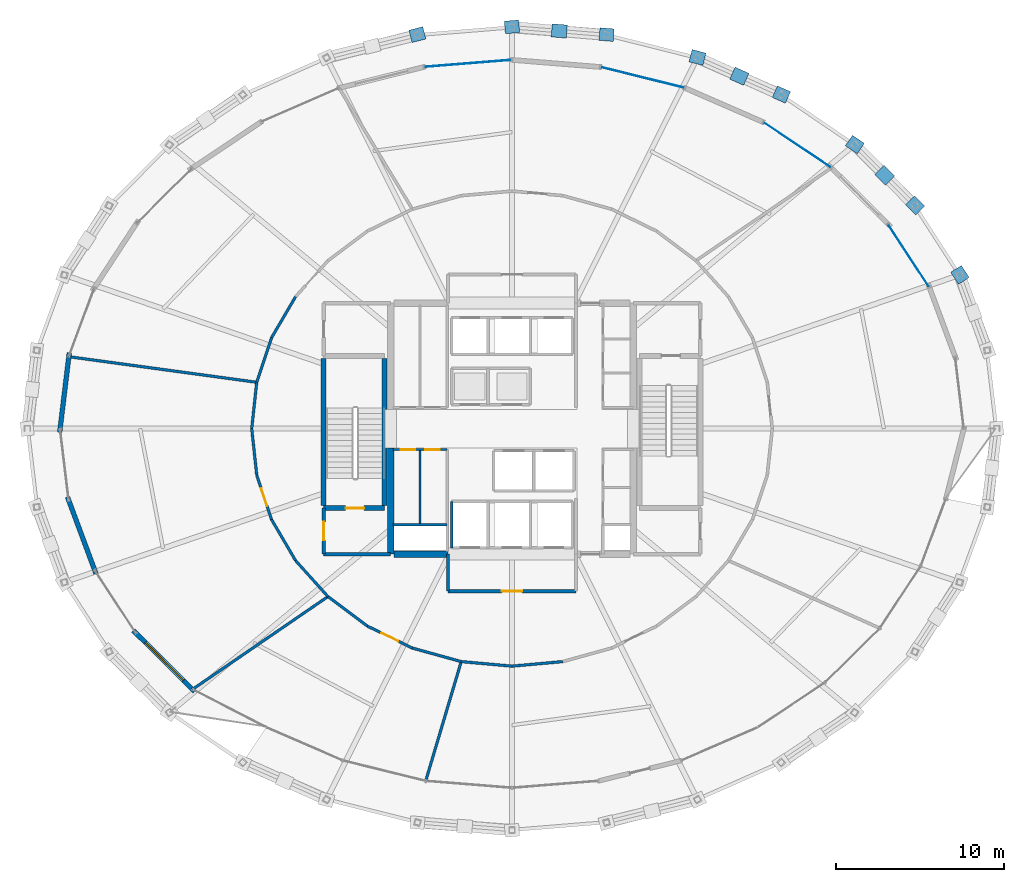
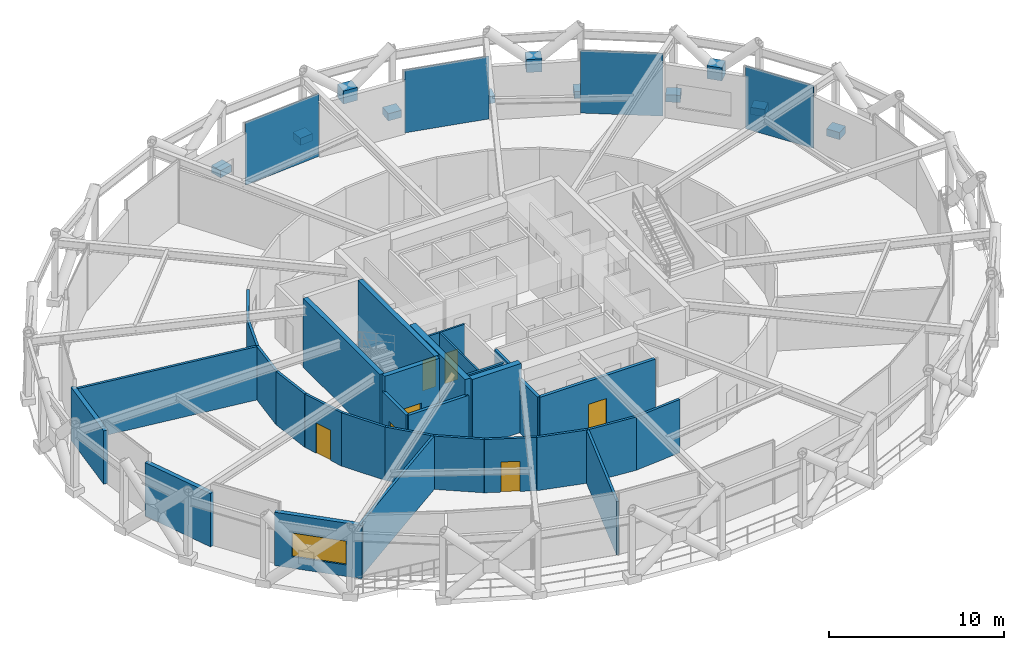
# One storey, part 32 of 39: 31 walls, 15 plates, 7 doors, 1 window, 8 openings, 4 elements without a shape of their own.
"""IFC4 building model written with IfcOpenShell, lengths in metres."""

from ifc_helpers import new_model, si_unit, direction, frame, frame_2d, origin, origin_2d, place, context, subcontext, project, spatial, rectangle, extrude, material, layer, layer_set, type_object, element, fill, aggregate, save


model = new_model("IFC4")

# Units and contexts
model_context = context("Model", 3, precision=1e-05, world=origin(), true_north=direction((0.0, 1.0)))
body_context = subcontext(model_context, "Body", "Model", "MODEL_VIEW")
ifc_project = project(units=[si_unit("LENGTHUNIT", "METRE"), si_unit("AREAUNIT", "SQUARE_METRE"), si_unit("VOLUMEUNIT", "CUBIC_METRE"), si_unit("PLANEANGLEUNIT", "RADIAN"), si_unit("MASSUNIT", "GRAM", prefix="KILO")], contexts=[model_context])

# Site, building, storey
site_placement = place(None, origin())
site = spatial("IfcSite", under=ifc_project, at=site_placement, CompositionType="ELEMENT")
building_placement = place(site_placement, origin())
building = spatial("IfcBuilding", under=site, at=building_placement, Name="Veldorina Hangang Commons", CompositionType="ELEMENT")
storey_placement = place(building_placement, frame((0.0, 0.0, 106.0)))
storey = spatial("IfcBuildingStorey", under=building, at=storey_placement, Name="L27", CompositionType="ELEMENT", Elevation=106.0)

# Curtain wall, plate
ifc_material_1 = material(Name="Glass Acoustic Laminated", Category="glass")
ifc_layer_1 = layer(ifc_material_1, 0.179931640625)
ifc_layer_set_1 = layer_set([ifc_layer_1], Name="Glass Acoustic Laminated")
curtain_wall_type = type_object("IfcCurtainWallType", Name="CW-SYS-SKY", PredefinedType="NOTDEFINED", material=ifc_layer_set_1)
curtain_wall_1_placement = place(storey_placement, origin())
curtain_wall_1 = element("IfcCurtainWall", 1, at=curtain_wall_1_placement, inside=storey, type_object=curtain_wall_type, Name="L27 unitised curtain wall CW-L27-R2", PredefinedType="NOTDEFINED")
ifc_material_2 = material(Name="Glass Low-E Triple IGU", Category="glass")
ifc_layer_2 = layer(ifc_material_2, 0.0400390625)
ifc_layer_set_2 = layer_set([ifc_layer_2], Name="Glass Low-E Triple IGU")
plate_type_1 = type_object("IfcPlateType", Name="CW-PNL-VIS", PredefinedType="CURTAIN_PANEL", material=ifc_layer_set_2)
plate_1_placement = place(storey_placement, frame((55.541748046875, 34.268310546875, 0.014892578125), z_axis=(0.0, 0.0, 1.0), x_axis=(-0.547928278665, 0.836525314285, 0.0)))
plate_1 = element("IfcPlate", 2, at=plate_1_placement, type_object=plate_type_1, Name="CW-L27-R2 facet 1 glazed vision panel", PredefinedType="CURTAIN_PANEL", context=body_context, shape_type="SweptSolid", body=[
    extrude(rectangle(XDim=4.34375, YDim=0.0400390625, at=origin_2d()), origin(), (0.0, 0.0, 1.0), 4.3701171875),
])
aggregate(curtain_wall_1, [plate_1])

curtain_wall_2_placement = place(storey_placement, origin())
curtain_wall_2 = element("IfcCurtainWall", 3, at=curtain_wall_2_placement, inside=storey, type_object=curtain_wall_type, Name="L27 unitised curtain wall CW-L27-R3", PredefinedType="NOTDEFINED")
plate_2_placement = place(storey_placement, frame((48.934326171875, 40.83837890625, 0.014892578125), z_axis=(0.0, 0.0, 1.0), x_axis=(-0.830887364717, 0.556440641177, 0.0)))
plate_2 = element("IfcPlate", 4, at=plate_2_placement, type_object=plate_type_1, Name="CW-L27-R3 facet 1 glazed vision panel", PredefinedType="CURTAIN_PANEL", context=body_context, shape_type="SweptSolid", body=[
    extrude(rectangle(XDim=4.7119140625, YDim=0.0400390625, at=origin_2d()), origin(), (0.0, 0.0, 1.0), 4.3701171875),
])
aggregate(curtain_wall_2, [plate_2])

curtain_wall_3_placement = place(storey_placement, origin())
curtain_wall_3 = element("IfcCurtainWall", 5, at=curtain_wall_3_placement, inside=storey, type_object=curtain_wall_type, Name="L27 unitised curtain wall CW-L27-R4", PredefinedType="NOTDEFINED")
plate_3_placement = place(storey_placement, frame((39.748779296875, 44.8447265625, 0.014892578125), z_axis=(0.0, 0.0, 1.0), x_axis=(-0.970703901937, 0.240278868744, 0.0)))
plate_3 = element("IfcPlate", 6, at=plate_3_placement, type_object=plate_type_1, Name="CW-L27-R4 facet 1 glazed vision panel", PredefinedType="CURTAIN_PANEL", context=body_context, shape_type="SweptSolid", body=[
    extrude(rectangle(XDim=5.003662109375, YDim=0.0400390625, at=origin_2d()), origin(), (0.0, 0.0, 1.0), 4.3701171875),
])
aggregate(curtain_wall_3, [plate_3])

curtain_wall_4_placement = place(storey_placement, origin())
curtain_wall_4 = element("IfcCurtainWall", 7, at=curtain_wall_4_placement, inside=storey, type_object=curtain_wall_type, Name="L27 unitised curtain wall CW-L27-R5", PredefinedType="NOTDEFINED")
plate_4_placement = place(storey_placement, frame((29.383544921875, 45.677734375, 0.014892578125), z_axis=(0.0, 0.0, 1.0), x_axis=(-0.996785873337, -0.080111938657, 0.0)))
plate_4 = element("IfcPlate", 8, at=plate_4_placement, type_object=plate_type_1, Name="CW-L27-R5 facet 1 glazed vision panel", PredefinedType="CURTAIN_PANEL", context=body_context, shape_type="SweptSolid", body=[
    extrude(rectangle(XDim=5.06982421875, YDim=0.0400390625, at=origin_2d()), origin(), (0.0, 0.0, 1.0), 4.3701171875),
])
aggregate(curtain_wall_4, [plate_4])

# Plates
ifc_material_3 = material(Name="Steel SM460-TMC", Category="steel")
ifc_layer_3 = layer(ifc_material_3, 0.035888671875)
ifc_layer_set_3 = layer_set([ifc_layer_3], Name="Steel SM460-TMC")
plate_type_2 = type_object("IfcPlateType", Name="PL-STAR-36", PredefinedType="USERDEFINED", material=ifc_layer_set_3)
for number, where, z_axis, x_axis, name in (
    (9, (58.591796875, 33.126220703125, -0.090087890625), (0.0, 0.0, 1.0), (-0.542104257801, 0.840311236194, 0.0), "L27 diagrid star-node gusset plate 02"),
    (10, (55.93212890625, 37.249267578125, -0.090087890625), (0.0, 0.0, 1.0), (-0.703717180947, 0.710480210308, 0.0), "L27 diagrid star-node gusset plate 03"),
):
    element("IfcPlate", number, at=place(storey_placement, frame(where, z_axis=z_axis, x_axis=x_axis)), inside=storey, type_object=plate_type_2, Name=name, ObjectType="GUSSET PLATE", PredefinedType="USERDEFINED", context=body_context, shape_type="SweptSolid", body=[
        extrude(rectangle(XDim=0.85009765625, YDim=0.75, at=origin_2d()), origin(), (0.0, 0.0, 1.0), 0.5),
    ])
plate_5_placement = place(storey_placement, frame((54.1279296875, 39.0478515625, 1.95166015625), z_axis=(0.0, 0.0, 1.0), x_axis=(-0.703717180947, 0.710480210308, 0.0)))
element("IfcPlate", 11, at=plate_5_placement, inside=storey, type_object=plate_type_2, Name="L27 diagrid X-crossing star-node gusset plate 03", ObjectType="GUSSET PLATE", PredefinedType="USERDEFINED", context=body_context, shape_type="SweptSolid", body=[
    extrude(rectangle(XDim=0.89990234375, YDim=0.780029296875, at=origin_2d()), origin(), (0.0, 0.0, 1.0), 0.89990234375),
])
for number, where, z_axis, x_axis, name in (
    (12, (52.3525390625, 40.86328125, -0.090087890625), (0.0, 0.0, 1.0), (-0.826943206707, 0.562285454979, 0.0), "L27 diagrid star-node gusset plate 04"),
    (13, (47.990966796875, 43.8291015625, -0.090087890625), (0.0, 0.0, 1.0), (-0.914345855411, 0.404934138711, 0.0), "L27 diagrid star-node gusset plate 05"),
):
    element("IfcPlate", number, at=place(storey_placement, frame(where, z_axis=z_axis, x_axis=x_axis)), inside=storey, type_object=plate_type_2, Name=name, ObjectType="GUSSET PLATE", PredefinedType="USERDEFINED", context=body_context, shape_type="SweptSolid", body=[
        extrude(rectangle(XDim=0.85009765625, YDim=0.75, at=origin_2d()), origin(), (0.0, 0.0, 1.0), 0.5),
    ])
plate_6_placement = place(storey_placement, frame((45.493896484375, 44.919189453125, 1.95166015625), z_axis=(0.0, 0.0, 1.0), x_axis=(-0.914345855411, 0.404934138711, 0.0)))
element("IfcPlate", 14, at=plate_6_placement, inside=storey, type_object=plate_type_2, Name="L27 diagrid X-crossing star-node gusset plate 05", ObjectType="GUSSET PLATE", PredefinedType="USERDEFINED", context=body_context, shape_type="SweptSolid", body=[
    extrude(rectangle(XDim=0.89990234375, YDim=0.780029296875, at=origin_2d()), origin(), (0.0, 0.0, 1.0), 0.89990234375),
])
for number, where, z_axis, x_axis, name in (
    (15, (43.0146484375, 46.03271484375, -0.090087890625), (0.0, 0.0, 1.0), (-0.969833736363, 0.24376735592, 0.0), "L27 diagrid star-node gusset plate 06"),
    (16, (37.615234375, 47.389892578125, -0.090087890625), (0.0, 0.0, 1.0), (-0.996687254251, 0.081329682245, 0.0), "L27 diagrid star-node gusset plate 07"),
):
    element("IfcPlate", number, at=place(storey_placement, frame(where, z_axis=z_axis, x_axis=x_axis)), inside=storey, type_object=plate_type_2, Name=name, ObjectType="GUSSET PLATE", PredefinedType="USERDEFINED", context=body_context, shape_type="SweptSolid", body=[
        extrude(rectangle(XDim=0.85009765625, YDim=0.75, at=origin_2d()), origin(), (0.0, 0.0, 1.0), 0.5),
    ])
plate_7_placement = place(storey_placement, frame((34.805908203125, 47.60595703125, 1.95166015625), z_axis=(0.0, 0.0, 1.0), x_axis=(-0.996687254251, 0.081329682245, 0.0)))
element("IfcPlate", 17, at=plate_7_placement, inside=storey, type_object=plate_type_2, Name="L27 diagrid X-crossing star-node gusset plate 07", ObjectType="GUSSET PLATE", PredefinedType="USERDEFINED", context=body_context, shape_type="SweptSolid", body=[
    extrude(rectangle(XDim=0.89990234375, YDim=0.780029296875, at=origin_2d()), origin(), (0.0, 0.0, 1.0), 0.89990234375),
])
for number, where, z_axis, x_axis, name in (
    (18, (32.0, 47.84814453125, -0.090087890625), (0.0, 0.0, 1.0), (-0.996687254251, -0.081329682245, 0.0), "L27 diagrid star-node gusset plate 08"),
    (19, (26.384765625, 47.389892578125, -0.090087890625), (0.0, 0.0, 1.0), (-0.969833736363, -0.24376735592, 0.0), "L27 diagrid star-node gusset plate 09"),
):
    element("IfcPlate", number, at=place(storey_placement, frame(where, z_axis=z_axis, x_axis=x_axis)), inside=storey, type_object=plate_type_2, Name=name, ObjectType="GUSSET PLATE", PredefinedType="USERDEFINED", context=body_context, shape_type="SweptSolid", body=[
        extrude(rectangle(XDim=0.85009765625, YDim=0.75, at=origin_2d()), origin(), (0.0, 0.0, 1.0), 0.5),
    ])

# Walls
ifc_material_4 = material(Name="Concrete C70/85", Category="concrete")
ifc_layer_4 = layer(ifc_material_4, 0.3798828125)
ifc_layer_set_4 = layer_set([ifc_layer_4], Name="Concrete C70/85")
wall_type_1 = type_object("IfcWallType", Name="CW-RC380-C70", PredefinedType="SHEAR", material=ifc_layer_set_4)
wall_1_placement = place(storey_placement, frame((24.800048828125, 16.550048828125, 0.0), z_axis=(0.0, 0.0, 1.0), x_axis=(0.0, 1.0, 0.0)))
element("IfcWall", 20, at=wall_1_placement, inside=storey, type_object=wall_type_1, Name="L27 W south core shear wall", PredefinedType="SHEAR", context=body_context, shape_type="SweptSolid", body=[
    extrude(rectangle(XDim=6.300048828125, YDim=0.3798828125, at=frame_2d((3.14990234375, 0.0))), origin(), (0.0, 0.0, 1.0), 4.800048828125),
])
wall_2_placement = place(storey_placement, frame((24.989990234375, 16.550048828125, 0.0), z_axis=(0.0, 0.0, 1.0), x_axis=(1.0, 0.0, 0.0)))
element("IfcWall", 21, at=wall_2_placement, inside=storey, type_object=wall_type_1, Name="L27 south-west core shear wall", PredefinedType="SHEAR", context=body_context, shape_type="SweptSolid", body=[
    extrude(rectangle(XDim=3.2099609375, YDim=0.3798828125, at=frame_2d((1.60498046875, 0.0))), origin(), (0.0, 0.0, 1.0), 4.800048828125),
])
ifc_material_5 = material(Name="Stone Roman Travertine", Category="masonry")
ifc_layer_5 = layer(ifc_material_5, 0.280029296875)
ifc_layer_set_5 = layer_set([ifc_layer_5], Name="Stone Roman Travertine")
wall_type_2 = type_object("IfcWallType", Name="EW-TRAV-280", PredefinedType="STANDARD", material=ifc_layer_set_5)
wall_3_placement = place(storey_placement, frame((5.719970703125, 28.498291015625, 0.0), z_axis=(0.0, 0.0, 1.0), x_axis=(-0.119800970217, -0.992797928853, 0.0)))
element("IfcWall", 22, at=wall_3_placement, inside=storey, type_object=wall_type_2, Name="L27 travertine facade wall 15", PredefinedType="STANDARD", context=body_context, shape_type="SweptSolid", body=[
    extrude(rectangle(XDim=4.75634765625, YDim=0.280029296875, at=frame_2d((2.378173828125, 0.0))), origin(), (0.0, 0.0, 1.0), 3.7099609375),
])
wall_4_placement = place(storey_placement, frame((5.612548828125, 19.945068359375, 0.0), z_axis=(0.0, 0.0, 1.0), x_axis=(0.348436652238, -0.937332331341, 0.0)))
element("IfcWall", 23, at=wall_4_placement, inside=storey, type_object=wall_type_2, Name="L27 travertine facade wall 17", PredefinedType="STANDARD", context=body_context, shape_type="SweptSolid", body=[
    extrude(rectangle(XDim=4.85205078125, YDim=0.280029296875, at=frame_2d((2.426025390625, 0.0))), origin(), (0.0, 0.0, 1.0), 3.7099609375),
])

# Wall, opening, window
wall_5_placement = place(storey_placement, frame((9.5126953125, 12.0234375, 0.0), z_axis=(0.0, 0.0, 1.0), x_axis=(0.709098752991, -0.705109181976, 0.0)))
wall_5 = element("IfcWall", 24, at=wall_5_placement, inside=storey, type_object=wall_type_2, Name="L27 travertine facade wall 19", PredefinedType="STANDARD", context=body_context, shape_type="SweptSolid", body=[
    extrude(rectangle(XDim=5.140380859375, YDim=0.280029296875, at=frame_2d((2.5703125, 0.0))), origin(), (0.0, 0.0, 1.0), 3.7099609375),
])
opening_1_placement = place(wall_5_placement, frame((1.0126953125, 0.0, 0.800048828125)))
opening_1 = element("IfcOpeningElement", 25, at=opening_1_placement, cuts=wall_5, Name="Opening W-01", PredefinedType="OPENING", context=body_context, shape_type="SweptSolid", body=[
    extrude(rectangle(XDim=3.199951171875, YDim=1.64990234375, at=frame_2d((1.60009765625, 0.824951171875))), frame((0.0, 0.14990234375, 0.0), z_axis=(0.0, -1.0, 0.0), x_axis=(1.0, 0.0, 0.0)), (0.0, 0.0, 1.0), 0.300048828125),
])
window_type = type_object("IfcWindowType", Name="WIN-TWR-3200", PartitioningType="SINGLE_PANEL", PredefinedType="WINDOW", material=ifc_material_2)
window_placement = place(opening_1_placement, origin())
window = element("IfcWindow", 26, at=window_placement, inside=storey, type_object=window_type, Name="L27 facade window 19", OverallHeight=1.64990234375, OverallWidth=3.199951171875, PartitioningType="SINGLE_PANEL", PredefinedType="WINDOW", context=body_context, shape_type="SweptSolid", body=[
    extrude(rectangle(XDim=3.199951171875, YDim=1.64990234375, at=frame_2d((1.60009765625, 0.824951171875))), frame((0.0, 0.030029296875, 0.0), z_axis=(0.0, -1.0, 0.0), x_axis=(1.0, 0.0, 0.0)), (0.0, 0.0, 1.0), 0.06005859375),
])
fill(opening_1, window)

# Walls
ifc_material_6 = material(Name="Concrete C50/60", Category="concrete")
ifc_layer_6 = layer(ifc_material_6, 0.300048828125)
ifc_layer_set_6 = layer_set([ifc_layer_6], Name="Concrete C50/60")
wall_type_3 = type_object("IfcWallType", Name="SW-STAIR-300", PredefinedType="SHEAR", material=ifc_layer_set_6)
for number, where, z_axis, x_axis, name in (
    (27, (20.820068359375, 19.429931640625, 0.0), (0.0, 0.0, 1.0), (0.0, 1.0, 0.0), "L27 ST1 outer stair shear wall"),
    (28, (24.419921875, 19.429931640625, 0.0), (0.0, 0.0, 1.0), (0.0, 1.0, 0.0), "L27 ST1 inner stair shear wall"),
):
    element("IfcWall", number, at=place(storey_placement, frame(where, z_axis=z_axis, x_axis=x_axis)), inside=storey, type_object=wall_type_3, Name=name, PredefinedType="SHEAR", context=body_context, shape_type="SweptSolid", body=[
        extrude(rectangle(XDim=8.739990234375, YDim=0.300048828125, at=frame_2d((4.3701171875, 0.0))), origin(), (0.0, 0.0, 1.0), 4.800048828125),
    ])

# Wall, opening, door
wall_6_placement = place(storey_placement, frame((20.820068359375, 19.280029296875, 0.0), z_axis=(0.0, 0.0, 1.0), x_axis=(1.0, 0.0, 0.0)))
wall_6 = element("IfcWall", 29, at=wall_6_placement, inside=storey, type_object=wall_type_3, Name="L27 ST1 south stair shear wall", PredefinedType="SHEAR", context=body_context, shape_type="SweptSolid", body=[
    extrude(rectangle(XDim=3.599853515625, YDim=0.300048828125, at=frame_2d((1.7998046875, 0.0))), origin(), (0.0, 0.0, 1.0), 4.800048828125),
])
opening_2_placement = place(wall_6_placement, frame((1.300048828125, 0.0, 0.0)))
opening_2 = element("IfcOpeningElement", 30, at=opening_2_placement, cuts=wall_6, Name="Opening D-08", PredefinedType="OPENING", context=body_context, shape_type="SweptSolid", body=[
    extrude(rectangle(XDim=1.10009765625, YDim=2.10009765625, at=frame_2d((0.550048828125, 1.050048828125))), frame((0.0, 0.16015625, 0.0), z_axis=(0.0, -1.0, 0.0), x_axis=(1.0, 0.0, 0.0)), (0.0, 0.0, 1.0), 0.320068359375),
])
ifc_material_7 = material(Name="Steel Fire-Rated Smoke Seal", Category="steel")
door_type_1 = type_object("IfcDoorType", Name="DR-FIRE-1100", OperationType="SINGLE_SWING_RIGHT", PredefinedType="DOOR", material=ifc_material_7)
door_1_placement = place(opening_2_placement, origin())
door_1 = element("IfcDoor", 31, at=door_1_placement, inside=storey, type_object=door_type_1, Name="L27 Special Escape Stair ST-1 door", OperationType="SINGLE_SWING_LEFT", OverallHeight=2.10009765625, OverallWidth=1.10009765625, PredefinedType="DOOR", context=body_context, shape_type="SweptSolid", body=[
    extrude(rectangle(XDim=1.10009765625, YDim=2.10009765625, at=frame_2d((0.550048828125, 1.050048828125))), frame((0.0, 0.02490234375, 0.0), z_axis=(0.0, -1.0, 0.0), x_axis=(1.0, 0.0, 0.0)), (0.0, 0.0, 1.0), 0.050048828125),
])
fill(opening_2, door_1)

# Walls
ifc_material_8 = material(Name="Gypsum Fire-Rated Twin Stud Wall", Category="gypsum")
ifc_layer_7 = layer(ifc_material_8, 0.159912109375)
ifc_layer_set_7 = layer_set([ifc_layer_7], Name="Gypsum Fire-Rated Twin Stud Wall")
wall_type_4 = type_object("IfcWallType", Name="WL-FIRE-160", PredefinedType="SOLIDWALL", material=ifc_layer_set_7)
wall_7_placement = place(storey_placement, frame((28.419921875, 16.919921875, 0.0), z_axis=(0.0, 0.0, 1.0), x_axis=(0.0, 1.0, 0.0)))
element("IfcWall", 32, at=wall_7_placement, inside=storey, type_object=wall_type_4, Name="L27 FFL-1 west shaft wall 033", PredefinedType="SOLIDWALL", context=body_context, shape_type="SweptSolid", body=[
    extrude(rectangle(XDim=2.760009765625, YDim=0.159912109375, at=frame_2d((1.3798828125, 0.0))), origin(), (0.0, 0.0, 1.0), 3.7099609375),
])
wall_8_placement = place(storey_placement, frame((24.949951171875, 18.300048828125, 0.0), z_axis=(0.0, 0.0, 1.0), x_axis=(1.0, 0.0, 0.0)))
element("IfcWall", 33, at=wall_8_placement, inside=storey, type_object=wall_type_4, Name="L27 Electrical riser wall 040", PredefinedType="SOLIDWALL", context=body_context, shape_type="SweptSolid", body=[
    extrude(rectangle(XDim=3.199951171875, YDim=0.159912109375, at=frame_2d((1.60009765625, 0.0))), origin(), (0.0, 0.0, 1.0), 3.7099609375),
])
wall_9_placement = place(storey_placement, frame((19.15380859375, 31.83349609375, 0.0), z_axis=(0.0, 0.0, 1.0), x_axis=(-0.505380130961, -0.862896820732, 0.0)))
element("IfcWall", 34, at=wall_9_placement, inside=storey, type_object=wall_type_4, Name="L27 Sky gallery wall 13 068", PredefinedType="SOLIDWALL", context=body_context, shape_type="SweptSolid", body=[
    extrude(rectangle(XDim=2.824951171875, YDim=0.159912109375, at=frame_2d((1.41259765625, 0.0))), origin(), (0.0, 0.0, 1.0), 3.7099609375),
])
wall_10_placement = place(storey_placement, frame((17.72607421875, 29.395751953125, 0.0), z_axis=(0.0, 0.0, 1.0), x_axis=(-0.315413058649, -0.948954478589, 0.0)))
element("IfcWall", 35, at=wall_10_placement, inside=storey, type_object=wall_type_4, Name="L27 Sky gallery wall 14 069", PredefinedType="SOLIDWALL", context=body_context, shape_type="SweptSolid", body=[
    extrude(rectangle(XDim=2.787353515625, YDim=0.159912109375, at=frame_2d((1.3935546875, 0.0))), origin(), (0.0, 0.0, 1.0), 3.7099609375),
])
for number, where, z_axis, x_axis, name in (
    (36, (16.846923828125, 26.750732421875, 0.0), (0.0, 0.0, 1.0), (-0.107302680622, -0.994226400138, 0.0), "L27 Sky gallery wall 15 070"),
    (37, (16.550048828125, 24.0, 0.0), (0.0, 0.0, 1.0), (0.107302680622, -0.994226400138, 0.0), "L27 Sky gallery wall 16 071"),
):
    element("IfcWall", number, at=place(storey_placement, frame(where, z_axis=z_axis, x_axis=x_axis)), inside=storey, type_object=wall_type_4, Name=name, PredefinedType="SOLIDWALL", context=body_context, shape_type="SweptSolid", body=[
        extrude(rectangle(XDim=2.7666015625, YDim=0.159912109375, at=frame_2d((1.38330078125, 0.0))), origin(), (0.0, 0.0, 1.0), 3.7099609375),
    ])

# Wall, opening, door
wall_11_placement = place(storey_placement, frame((16.846923828125, 21.249267578125, 0.0), z_axis=(0.0, 0.0, 1.0), x_axis=(0.315413058649, -0.948954478589, 0.0)))
wall_11 = element("IfcWall", 38, at=wall_11_placement, inside=storey, type_object=wall_type_4, Name="L27 Sky gallery wall 17 072", PredefinedType="SOLIDWALL", context=body_context, shape_type="SweptSolid", body=[
    extrude(rectangle(XDim=2.787353515625, YDim=0.159912109375, at=frame_2d((1.3935546875, 0.0))), origin(), (0.0, 0.0, 1.0), 3.7099609375),
])
opening_3_placement = place(wall_11_placement, frame((0.84375, 0.0, 0.0)))
opening_3 = element("IfcOpeningElement", 39, at=opening_3_placement, cuts=wall_11, Name="Opening D-08", PredefinedType="OPENING", context=body_context, shape_type="SweptSolid", body=[
    extrude(rectangle(XDim=1.10009765625, YDim=2.10009765625, at=frame_2d((0.550048828125, 1.050048828125))), frame((0.0, 0.08984375, 0.0), z_axis=(0.0, -1.0, 0.0), x_axis=(1.0, 0.0, 0.0)), (0.0, 0.0, 1.0), 0.179931640625),
])
door_2_placement = place(opening_3_placement, origin())
door_2 = element("IfcDoor", 40, at=door_2_placement, inside=storey, type_object=door_type_1, Name="L27 Resident Wellness Fitness Studio entrance door 030", OperationType="SINGLE_SWING_RIGHT", OverallHeight=2.10009765625, OverallWidth=1.10009765625, PredefinedType="DOOR", context=body_context, shape_type="SweptSolid", body=[
    extrude(rectangle(XDim=1.10009765625, YDim=2.10009765625, at=frame_2d((0.550048828125, 1.050048828125))), frame((0.0, 0.02490234375, 0.0), z_axis=(0.0, -1.0, 0.0), x_axis=(1.0, 0.0, 0.0)), (0.0, 0.0, 1.0), 0.050048828125),
])
fill(opening_3, door_2)

# Walls
wall_12_placement = place(storey_placement, frame((17.72607421875, 18.604248046875, 0.0), z_axis=(0.0, 0.0, 1.0), x_axis=(0.505380130961, -0.862896820732, 0.0)))
element("IfcWall", 41, at=wall_12_placement, inside=storey, type_object=wall_type_4, Name="L27 Sky gallery wall 18 073", PredefinedType="SOLIDWALL", context=body_context, shape_type="SweptSolid", body=[
    extrude(rectangle(XDim=2.824951171875, YDim=0.159912109375, at=frame_2d((1.41259765625, 0.0))), origin(), (0.0, 0.0, 1.0), 3.7099609375),
])
wall_13_placement = place(storey_placement, frame((19.15380859375, 16.16650390625, 0.0), z_axis=(0.0, 0.0, 1.0), x_axis=(0.668645478294, -0.743581350194, 0.0)))
element("IfcWall", 42, at=wall_13_placement, inside=storey, type_object=wall_type_4, Name="L27 Sky gallery wall 19 074", PredefinedType="SOLIDWALL", context=body_context, shape_type="SweptSolid", body=[
    extrude(rectangle(XDim=2.87353515625, YDim=0.159912109375, at=frame_2d((1.436767578125, 0.0))), origin(), (0.0, 0.0, 1.0), 3.7099609375),
])
wall_14_placement = place(storey_placement, frame((21.0751953125, 14.02978515625, 0.0), z_axis=(0.0, 0.0, 1.0), x_axis=(0.800420462314, -0.599438973966, 0.0)))
element("IfcWall", 43, at=wall_14_placement, inside=storey, type_object=wall_type_4, Name="L27 Sky gallery wall 20 075", PredefinedType="SOLIDWALL", context=body_context, shape_type="SweptSolid", body=[
    extrude(rectangle(XDim=2.925048828125, YDim=0.159912109375, at=frame_2d((1.46240234375, 0.0))), origin(), (0.0, 0.0, 1.0), 3.7099609375),
])

# Wall, opening, door
wall_15_placement = place(storey_placement, frame((23.41650390625, 12.2763671875, 0.0), z_axis=(0.0, 0.0, 1.0), x_axis=(0.898755022802, -0.438451147778, 0.0)))
wall_15 = element("IfcWall", 44, at=wall_15_placement, inside=storey, type_object=wall_type_4, Name="L27 Sky gallery wall 21 076", PredefinedType="SOLIDWALL", context=body_context, shape_type="SweptSolid", body=[
    extrude(rectangle(XDim=2.9716796875, YDim=0.159912109375, at=frame_2d((1.48583984375, 0.0))), origin(), (0.0, 0.0, 1.0), 3.7099609375),
])
opening_4_placement = place(wall_15_placement, frame((0.93603515625, 0.0, 0.0)))
opening_4 = element("IfcOpeningElement", 45, at=opening_4_placement, cuts=wall_15, Name="Opening D-08", PredefinedType="OPENING", context=body_context, shape_type="SweptSolid", body=[
    extrude(rectangle(XDim=1.10009765625, YDim=2.10009765625, at=frame_2d((0.550048828125, 1.050048828125))), frame((0.0, 0.08984375, 0.0), z_axis=(0.0, -1.0, 0.0), x_axis=(1.0, 0.0, 0.0)), (0.0, 0.0, 1.0), 0.179931640625),
])
door_3_placement = place(opening_4_placement, origin())
door_3 = element("IfcDoor", 46, at=door_3_placement, inside=storey, type_object=door_type_1, Name="L27 Sky Catering Pantry entrance door 031", OperationType="SINGLE_SWING_LEFT", OverallHeight=2.10009765625, OverallWidth=1.10009765625, PredefinedType="DOOR", context=body_context, shape_type="SweptSolid", body=[
    extrude(rectangle(XDim=1.10009765625, YDim=2.10009765625, at=frame_2d((0.550048828125, 1.050048828125))), frame((0.0, 0.02490234375, 0.0), z_axis=(0.0, -1.0, 0.0), x_axis=(1.0, 0.0, 0.0)), (0.0, 0.0, 1.0), 0.050048828125),
])
fill(opening_4, door_3)

# Walls
wall_16_placement = place(storey_placement, frame((26.08740234375, 10.973388671875, 0.0), z_axis=(0.0, 0.0, 1.0), x_axis=(0.963743190464, -0.26683152519, 0.0)))
element("IfcWall", 47, at=wall_16_placement, inside=storey, type_object=wall_type_4, Name="L27 Sky gallery wall 22 077", PredefinedType="SOLIDWALL", context=body_context, shape_type="SweptSolid", body=[
    extrude(rectangle(XDim=3.007568359375, YDim=0.159912109375, at=frame_2d((1.50390625, 0.0))), origin(), (0.0, 0.0, 1.0), 3.7099609375),
])
for number, where, z_axis, x_axis, name in (
    (48, (28.98583984375, 10.1708984375, 0.0), (0.0, 0.0, 1.0), (0.995982645158, -0.089546471418, 0.0), "L27 Sky gallery wall 23 078"),
    (49, (32.0, 9.89990234375, 0.0), (0.0, 0.0, 1.0), (0.995982645158, 0.089546471418, 0.0), "L27 Sky gallery wall 24 079"),
):
    element("IfcWall", number, at=place(storey_placement, frame(where, z_axis=z_axis, x_axis=x_axis)), inside=storey, type_object=wall_type_4, Name=name, PredefinedType="SOLIDWALL", context=body_context, shape_type="SweptSolid", body=[
        extrude(rectangle(XDim=3.0263671875, YDim=0.159912109375, at=frame_2d((1.51318359375, 0.0))), origin(), (0.0, 0.0, 1.0), 3.7099609375),
    ])
wall_17_placement = place(storey_placement, frame((28.98583984375, 10.1708984375, 0.0), z_axis=(0.0, 0.0, 1.0), x_axis=(-0.285194031828, -0.958469803494, 0.0)))
element("IfcWall", 50, at=wall_17_placement, inside=storey, type_object=wall_type_4, Name="L27 Sky lobby radial wall 1 087", PredefinedType="SOLIDWALL", context=body_context, shape_type="SweptSolid", body=[
    extrude(rectangle(XDim=7.396240234375, YDim=0.159912109375, at=frame_2d((3.6982421875, 0.0))), origin(), (0.0, 0.0, 1.0), 3.7099609375),
])
wall_18_placement = place(storey_placement, frame((16.846923828125, 26.750732421875, 0.0), z_axis=(0.0, 0.0, 1.0), x_axis=(-0.99084850252, 0.134978683703, 0.0)))
element("IfcWall", 51, at=wall_18_placement, inside=storey, type_object=wall_type_4, Name="L27 Sky lobby radial wall 5 091", PredefinedType="SOLIDWALL", context=body_context, shape_type="SweptSolid", body=[
    extrude(rectangle(XDim=11.257568359375, YDim=0.159912109375, at=frame_2d((5.62890625, 0.0))), origin(), (0.0, 0.0, 1.0), 3.7099609375),
])
wall_19_placement = place(storey_placement, frame((21.0751953125, 14.02978515625, 0.0), z_axis=(0.0, 0.0, 1.0), x_axis=(-0.825084174335, -0.56500982758, 0.0)))
element("IfcWall", 52, at=wall_19_placement, inside=storey, type_object=wall_type_4, Name="L27 Sky lobby radial wall 6 092", PredefinedType="SOLIDWALL", context=body_context, shape_type="SweptSolid", body=[
    extrude(rectangle(XDim=9.746826171875, YDim=0.159912109375, at=frame_2d((4.87353515625, 0.0))), origin(), (0.0, 0.0, 1.0), 3.7099609375),
])

# Wall, opening, door
ifc_material_9 = material(Name="Concrete Blockwork Fire Wall C30/37", Category="masonry")
ifc_layer_8 = layer(ifc_material_9, 0.199951171875)
ifc_layer_set_8 = layer_set([ifc_layer_8], Name="Concrete Blockwork Fire Wall C30/37")
wall_type_5 = type_object("IfcWallType", Name="WL-FIRE-200", PredefinedType="SOLIDWALL", material=ifc_layer_set_8)
wall_20_placement = place(storey_placement, frame((20.820068359375, 16.550048828125, 0.0), z_axis=(0.0, 0.0, 1.0), x_axis=(0.0, 1.0, 0.0)))
wall_20 = element("IfcWall", 53, at=wall_20_placement, inside=storey, type_object=wall_type_5, Name="L27 West vestibule outer wall 001", PredefinedType="SOLIDWALL", context=body_context, shape_type="SweptSolid", body=[
    extrude(rectangle(XDim=2.72998046875, YDim=0.199951171875, at=frame_2d((1.364990234375, 0.0))), origin(), (0.0, 0.0, 1.0), 3.7099609375),
])
opening_5_placement = place(wall_20_placement, frame((0.81494140625, 0.0, 0.0)))
opening_5 = element("IfcOpeningElement", 54, at=opening_5_placement, cuts=wall_20, Name="Opening D-08", PredefinedType="OPENING", context=body_context, shape_type="SweptSolid", body=[
    extrude(rectangle(XDim=1.10009765625, YDim=2.10009765625, at=frame_2d((0.550048828125, 1.050048828125))), frame((0.0, 0.10986328125, 0.0), z_axis=(0.0, -1.0, 0.0), x_axis=(1.0, 0.0, 0.0)), (0.0, 0.0, 1.0), 0.219970703125),
])
door_4_placement = place(opening_5_placement, origin())
door_4 = element("IfcDoor", 55, at=door_4_placement, inside=storey, type_object=door_type_1, Name="L27 West vestibule west door 001", OperationType="SINGLE_SWING_LEFT", OverallHeight=2.10009765625, OverallWidth=1.10009765625, PredefinedType="DOOR", context=body_context, shape_type="SweptSolid", body=[
    extrude(rectangle(XDim=1.10009765625, YDim=2.10009765625, at=frame_2d((0.550048828125, 1.050048828125))), frame((0.0, 0.02490234375, 0.0), z_axis=(0.0, -1.0, 0.0), x_axis=(1.0, 0.0, 0.0)), (0.0, 0.0, 1.0), 0.050048828125),
])
fill(opening_5, door_4)

# Walls
wall_21_placement = place(storey_placement, frame((20.820068359375, 16.550048828125, 0.0), z_axis=(0.0, 0.0, 1.0), x_axis=(1.0, 0.0, 0.0)))
element("IfcWall", 56, at=wall_21_placement, inside=storey, type_object=wall_type_5, Name="L27 West vestibule south wall 002", PredefinedType="SOLIDWALL", context=body_context, shape_type="SweptSolid", body=[
    extrude(rectangle(XDim=3.97998046875, YDim=0.199951171875, at=frame_2d((1.989990234375, 0.0))), origin(), (0.0, 0.0, 1.0), 3.7099609375),
])
wall_22_placement = place(storey_placement, frame((28.199951171875, 14.35009765625, 0.0), z_axis=(0.0, 0.0, 1.0), x_axis=(0.0, 1.0, 0.0)))
element("IfcWall", 57, at=wall_22_placement, inside=storey, type_object=wall_type_5, Name="L27 FF lobby west wall 012", PredefinedType="SOLIDWALL", context=body_context, shape_type="SweptSolid", body=[
    extrude(rectangle(XDim=2.199951171875, YDim=0.199951171875, at=frame_2d((1.10009765625, 0.0))), origin(), (0.0, 0.0, 1.0), 3.7099609375),
])

# Wall, opening, door
wall_23_placement = place(storey_placement, frame((28.199951171875, 14.35009765625, 0.0), z_axis=(0.0, 0.0, 1.0), x_axis=(1.0, 0.0, 0.0)))
wall_23 = element("IfcWall", 58, at=wall_23_placement, inside=storey, type_object=wall_type_5, Name="L27 FF lobby south wall 014", PredefinedType="SOLIDWALL", context=body_context, shape_type="SweptSolid", body=[
    extrude(rectangle(XDim=7.60009765625, YDim=0.199951171875, at=frame_2d((3.800048828125, 0.0))), origin(), (0.0, 0.0, 1.0), 3.7099609375),
])
opening_6_placement = place(wall_23_placement, frame((3.199951171875, 0.0, 0.0)))
opening_6 = element("IfcOpeningElement", 59, at=opening_6_placement, cuts=wall_23, Name="Opening D-09", PredefinedType="OPENING", context=body_context, shape_type="SweptSolid", body=[
    extrude(rectangle(XDim=1.199951171875, YDim=2.10009765625, at=frame_2d((0.60009765625, 1.050048828125))), frame((0.0, 0.10986328125, 0.0), z_axis=(0.0, -1.0, 0.0), x_axis=(1.0, 0.0, 0.0)), (0.0, 0.0, 1.0), 0.219970703125),
])
ifc_material_10 = material(Name="Steel Fire-Rated Corridor Door", Category="steel")
door_type_2 = type_object("IfcDoorType", Name="DR-FIRE-1200", OperationType="SINGLE_SWING_LEFT", PredefinedType="DOOR", material=ifc_material_10)
door_5_placement = place(opening_6_placement, origin())
door_5 = element("IfcDoor", 60, at=door_5_placement, inside=storey, type_object=door_type_2, Name="L27 FF lobby south corridor door 005", OperationType="SINGLE_SWING_LEFT", OverallHeight=2.10009765625, OverallWidth=1.199951171875, PredefinedType="DOOR", context=body_context, shape_type="SweptSolid", body=[
    extrude(rectangle(XDim=1.199951171875, YDim=2.10009765625, at=frame_2d((0.60009765625, 1.050048828125))), frame((0.0, 0.02490234375, 0.0), z_axis=(0.0, -1.0, 0.0), x_axis=(1.0, 0.0, 0.0)), (0.0, 0.0, 1.0), 0.050048828125),
])
fill(opening_6, door_5)

# Wall, openings, doors
ifc_material_11 = material(Name="Gypsum Acoustic Stud Partition", Category="gypsum")
ifc_layer_9 = layer(ifc_material_11, 0.1201171875)
ifc_layer_set_9 = layer_set([ifc_layer_9], Name="Gypsum Acoustic Stud Partition")
wall_type_6 = type_object("IfcWallType", Name="WL-PART-120", PredefinedType="PARTITIONING", material=ifc_layer_set_9)
wall_24_placement = place(storey_placement, frame((24.949951171875, 22.75, 0.0), z_axis=(0.0, 0.0, 1.0), x_axis=(1.0, 0.0, 0.0)))
wall_24 = element("IfcWall", 61, at=wall_24_placement, inside=storey, type_object=wall_type_6, Name="L27 SW service north wall 045", PredefinedType="PARTITIONING", context=body_context, shape_type="SweptSolid", body=[
    extrude(rectangle(XDim=3.199951171875, YDim=0.1201171875, at=frame_2d((1.60009765625, 0.0))), origin(), (0.0, 0.0, 1.0), 3.7099609375),
])
opening_7_placement = place(wall_24_placement, frame((0.43994140625, 0.0, 0.0)))
opening_7 = element("IfcOpeningElement", 62, at=opening_7_placement, cuts=wall_24, Name="Opening D-01", PredefinedType="OPENING", context=body_context, shape_type="SweptSolid", body=[
    extrude(rectangle(XDim=0.860107421875, YDim=2.10009765625, at=frame_2d((0.43017578125, 1.050048828125))), frame((0.0, 0.070068359375, 0.0), z_axis=(0.0, -1.0, 0.0), x_axis=(1.0, 0.0, 0.0)), (0.0, 0.0, 1.0), 0.14013671875),
])
opening_8_placement = place(wall_24_placement, frame((1.89990234375, 0.0, 0.0)))
opening_8 = element("IfcOpeningElement", 63, at=opening_8_placement, cuts=wall_24, Name="Opening D-01", PredefinedType="OPENING", context=body_context, shape_type="SweptSolid", body=[
    extrude(rectangle(XDim=0.860107421875, YDim=2.10009765625, at=frame_2d((0.43017578125, 1.050048828125))), frame((0.0, 0.070068359375, 0.0), z_axis=(0.0, -1.0, 0.0), x_axis=(1.0, 0.0, 0.0)), (0.0, 0.0, 1.0), 0.14013671875),
])
ifc_material_12 = material(Name="Timber Moisture-Resistant Core", Category="wood")
door_type_3 = type_object("IfcDoorType", Name="DR-WET-860", OperationType="SINGLE_SWING_LEFT", PredefinedType="DOOR", material=ifc_material_12)
door_6_placement = place(opening_7_placement, origin())
door_6 = element("IfcDoor", 64, at=door_6_placement, inside=storey, type_object=door_type_3, Name="L27 Cleaners door 019", OperationType="SINGLE_SWING_LEFT", OverallHeight=2.10009765625, OverallWidth=0.860107421875, PredefinedType="DOOR", context=body_context, shape_type="SweptSolid", body=[
    extrude(rectangle(XDim=0.860107421875, YDim=2.10009765625, at=frame_2d((0.43017578125, 1.050048828125))), frame((0.0, 0.02490234375, 0.0), z_axis=(0.0, -1.0, 0.0), x_axis=(1.0, 0.0, 0.0)), (0.0, 0.0, 1.0), 0.050048828125),
])
fill(opening_7, door_6)
door_7_placement = place(opening_8_placement, origin())
door_7 = element("IfcDoor", 65, at=door_7_placement, inside=storey, type_object=door_type_3, Name="L27 Metering door 020", OperationType="SINGLE_SWING_RIGHT", OverallHeight=2.10009765625, OverallWidth=0.860107421875, PredefinedType="DOOR", context=body_context, shape_type="SweptSolid", body=[
    extrude(rectangle(XDim=0.860107421875, YDim=2.10009765625, at=frame_2d((0.43017578125, 1.050048828125))), frame((0.0, 0.02490234375, 0.0), z_axis=(0.0, -1.0, 0.0), x_axis=(1.0, 0.0, 0.0)), (0.0, 0.0, 1.0), 0.050048828125),
])
fill(opening_8, door_7)

# Wall
wall_25_placement = place(storey_placement, frame((26.530029296875, 18.300048828125, 0.0), z_axis=(0.0, 0.0, 1.0), x_axis=(0.0, 1.0, 0.0)))
element("IfcWall", 66, at=wall_25_placement, inside=storey, type_object=wall_type_6, Name="L27 SW vertical split 051", PredefinedType="PARTITIONING", context=body_context, shape_type="SweptSolid", body=[
    extrude(rectangle(XDim=4.449951171875, YDim=0.1201171875, at=frame_2d((2.22509765625, 0.0))), origin(), (0.0, 0.0, 1.0), 3.7099609375),
])

save(model, "model.ifc")
